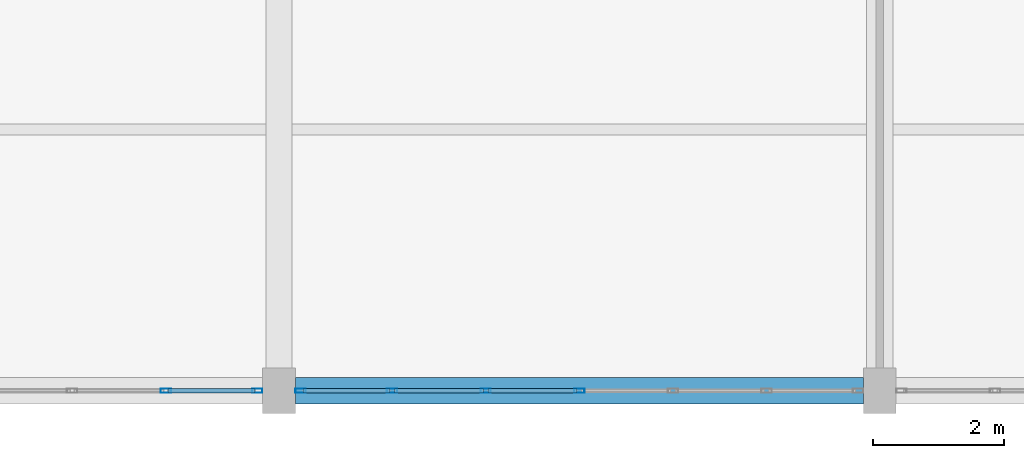
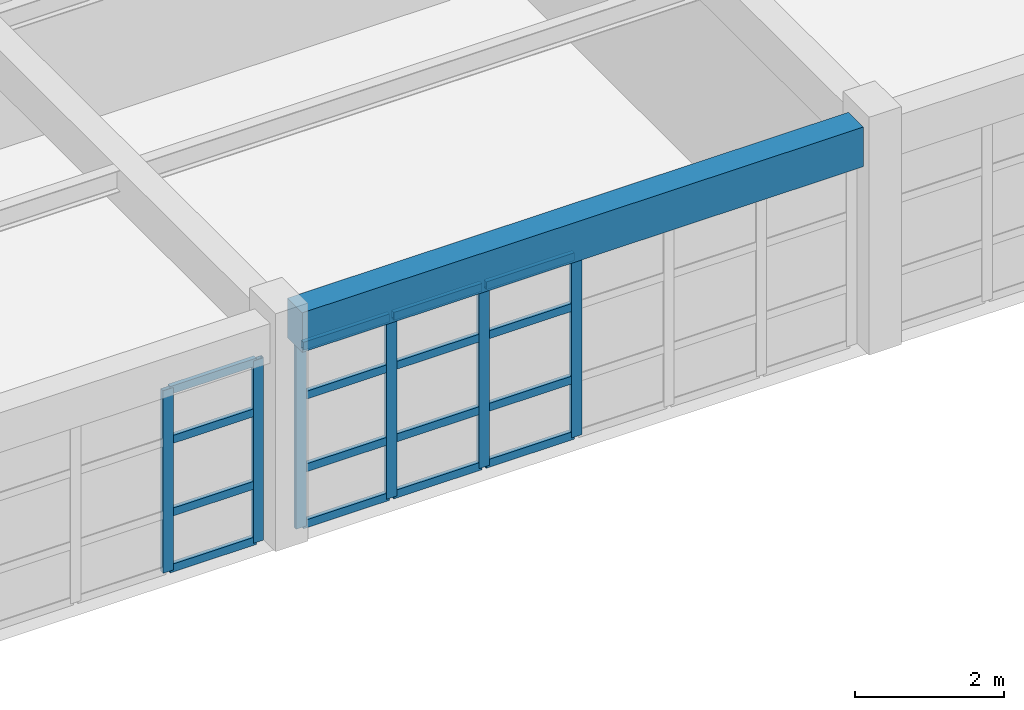
# One storey, part 22 of 150: 22 members, 1 beam, 2 elements without a shape of their own.
"""IFC4 building model written with IfcOpenShell, lengths in metres."""

from ifc_helpers import new_model, si_unit, direction, frame, origin, origin_2d, place, context, subcontext, project, spatial, rectangle, hollow_rectangle, extrude, material, material_profile, profile_set, type_object, element, aggregate, save


model = new_model("IFC4")

# Units and contexts
model_context = context("Model", 3, precision=1e-05, world=origin(), true_north=direction((0.0, 1.0)))
body_context = subcontext(model_context, "Body", "Model", "MODEL_VIEW")
ifc_project = project(units=[si_unit("LENGTHUNIT", "METRE"), si_unit("AREAUNIT", "SQUARE_METRE"), si_unit("VOLUMEUNIT", "CUBIC_METRE"), si_unit("PLANEANGLEUNIT", "RADIAN"), si_unit("MASSUNIT", "GRAM", prefix="KILO")], contexts=[model_context])

# Site, building, storey
site_placement = place(None, origin())
site = spatial("IfcSite", under=ifc_project, at=site_placement, CompositionType="ELEMENT")
building_placement = place(site_placement, origin())
building = spatial("IfcBuilding", under=site, at=building_placement, Name="Kestramere Prow Commons", CompositionType="ELEMENT")
storey_placement = place(building_placement, frame((0.0, 0.0, 4.5)))
storey = spatial("IfcBuildingStorey", under=building, at=storey_placement, Name="L01", CompositionType="ELEMENT", Elevation=4.5)

# Beam
ifc_material_1 = material(Name="Precast concrete C40/50", Category="concrete")
ifc_material_profile_1 = material_profile(ifc_material_1, rectangle(XDim=0.39990234375, YDim=0.64990234375, at=origin_2d()), Name="PC-BM 400x650")
ifc_profile_set_1 = profile_set([ifc_material_profile_1], Name="Precast concrete C40/50")
beam_type = type_object("IfcBeamType", Name="BM-MK-01 PC-BM 400x650 (EX)", PredefinedType="BEAM", material=ifc_profile_set_1)
beam_placement = place(storey_placement, frame((85.25, 0.0, 3.324951171875), z_axis=(1.0, 0.0, 0.0), x_axis=(0.0, 1.0, 0.0)))
element("IfcBeam", 1, at=beam_placement, inside=storey, type_object=beam_type, Name="Market Spine L01 Beam X 1-4", PredefinedType="BEAM", context=body_context, shape_type="SweptSolid", body=[
    extrude(rectangle(XDim=0.39990234375, YDim=0.64990234375, at=origin_2d()), origin(), (0.0, 0.0, 1.0), 8.699951171875),
])

# Curtain wall, members
ifc_material_2 = material(Name="Anodised Aluminium and Low-E Glass", Category="aluminium")
curtain_wall_type = type_object("IfcCurtainWallType", Name="CW-25 Glazed Curtain Wall 8600x2990", PredefinedType="USERDEFINED", material=ifc_material_2)
curtain_wall_1_placement = place(storey_placement, origin())
curtain_wall_1 = element("IfcCurtainWall", 2, at=curtain_wall_1_placement, inside=storey, type_object=curtain_wall_type, Name="Market L01 South Shopfront 3", ObjectType="GLAZED CURTAIN WALL", PredefinedType="USERDEFINED")
ifc_material_3 = material(Name="Anodised Aluminium 6063-T6", Category="aluminium")
ifc_material_profile_2 = material_profile(ifc_material_3, hollow_rectangle(XDim=0.06494140625, YDim=0.159912109375, WallThickness=0.00390625, at=origin_2d()), Name="ALU-MUL 65x160")
ifc_profile_set_2 = profile_set([ifc_material_profile_2], Name="Anodised Aluminium 6063-T6")
member_type_1 = type_object("IfcMemberType", Name="CW-MUL-65x160", PredefinedType="MULLION", material=ifc_profile_set_2)
member_1_placement = place(storey_placement, frame((84.66748046875, 0.0, 0.0), z_axis=(0.0, 0.0, 1.0), x_axis=(0.0, -1.0, 0.0)))
member_1 = element("IfcMember", 3, at=member_1_placement, type_object=member_type_1, Name="CW-25 mullion 1", PredefinedType="MULLION", context=body_context, shape_type="SweptSolid", body=[
    extrude(hollow_rectangle(XDim=0.06494140625, YDim=0.159912109375, WallThickness=0.00390625, at=origin_2d()), origin(), (0.0, 0.0, 1.0), 2.989990234375),
])
member_2_placement = place(storey_placement, frame((83.2666015625, 0.0, 0.0), z_axis=(0.0, 0.0, 1.0), x_axis=(0.0, -1.0, 0.0)))
member_2 = element("IfcMember", 4, at=member_2_placement, type_object=member_type_1, Name="CW-25 mullion 2", PredefinedType="MULLION", context=body_context, shape_type="SweptSolid", body=[
    extrude(hollow_rectangle(XDim=0.06494140625, YDim=0.159912109375, WallThickness=0.00390625, at=origin_2d()), origin(), (0.0, 0.0, 1.0), 2.989990234375),
])

curtain_wall_2_placement = place(storey_placement, origin())
curtain_wall_2 = element("IfcCurtainWall", 5, at=curtain_wall_2_placement, inside=storey, type_object=curtain_wall_type, Name="Market L01 South Shopfront 4", ObjectType="GLAZED CURTAIN WALL", PredefinedType="USERDEFINED")
member_3_placement = place(storey_placement, frame((89.60009765625, 0.0, 0.0), z_axis=(0.0, 0.0, 1.0), x_axis=(0.0, -1.0, 0.0)))
member_3 = element("IfcMember", 6, at=member_3_placement, type_object=member_type_1, Name="CW-25 mullion 4", PredefinedType="MULLION", context=body_context, shape_type="SweptSolid", body=[
    extrude(hollow_rectangle(XDim=0.06494140625, YDim=0.159912109375, WallThickness=0.00390625, at=origin_2d()), origin(), (0.0, 0.0, 1.0), 2.989990234375),
])
member_4_placement = place(storey_placement, frame((88.166748046875, 0.0, 0.0), z_axis=(0.0, 0.0, 1.0), x_axis=(0.0, -1.0, 0.0)))
member_4 = element("IfcMember", 7, at=member_4_placement, type_object=member_type_1, Name="CW-25 mullion 5", PredefinedType="MULLION", context=body_context, shape_type="SweptSolid", body=[
    extrude(hollow_rectangle(XDim=0.06494140625, YDim=0.159912109375, WallThickness=0.00390625, at=origin_2d()), origin(), (0.0, 0.0, 1.0), 2.989990234375),
])
member_5_placement = place(storey_placement, frame((86.7333984375, 0.0, 0.0), z_axis=(0.0, 0.0, 1.0), x_axis=(0.0, -1.0, 0.0)))
member_5 = element("IfcMember", 8, at=member_5_placement, type_object=member_type_1, Name="CW-25 mullion 6", PredefinedType="MULLION", context=body_context, shape_type="SweptSolid", body=[
    extrude(hollow_rectangle(XDim=0.06494140625, YDim=0.159912109375, WallThickness=0.00390625, at=origin_2d()), origin(), (0.0, 0.0, 1.0), 2.989990234375),
])
member_6_placement = place(storey_placement, frame((85.33251953125, 0.0, 0.0), z_axis=(0.0, 0.0, 1.0), x_axis=(0.0, -1.0, 0.0)))
member_6 = element("IfcMember", 9, at=member_6_placement, type_object=member_type_1, Name="CW-25 mullion 7", PredefinedType="MULLION", context=body_context, shape_type="SweptSolid", body=[
    extrude(hollow_rectangle(XDim=0.06494140625, YDim=0.159912109375, WallThickness=0.00390625, at=origin_2d()), origin(), (0.0, 0.0, 1.0), 2.989990234375),
])

# Member
ifc_material_profile_3 = material_profile(ifc_material_3, hollow_rectangle(XDim=0.06494140625, YDim=0.1298828125, WallThickness=0.00390625, at=origin_2d()), Name="ALU-TRN 65x130")
ifc_profile_set_3 = profile_set([ifc_material_profile_3], Name="Anodised Aluminium 6063-T6")
member_type_2 = type_object("IfcMemberType", Name="CW-TRN-65x130", PredefinedType="USERDEFINED", material=ifc_profile_set_3)
member_7_placement = place(storey_placement, frame((84.635009765625, 0.0, 0.032470703125), z_axis=(-1.0, 0.0, 0.0), x_axis=(0.0, -1.0, 0.0)))
member_7 = element("IfcMember", 10, at=member_7_placement, type_object=member_type_2, Name="CW-25 transom 1.1", ObjectType="TRANSOM", PredefinedType="USERDEFINED", context=body_context, shape_type="SweptSolid", body=[
    extrude(hollow_rectangle(XDim=0.06494140625, YDim=0.1298828125, WallThickness=0.00390625, at=origin_2d()), origin(), (0.0, 0.0, 1.0), 1.3359375),
])

member_8_placement = place(storey_placement, frame((84.635009765625, 0.0, 0.949951171875), z_axis=(-1.0, 0.0, 0.0), x_axis=(0.0, -1.0, 0.0)))
member_8 = element("IfcMember", 11, at=member_8_placement, type_object=member_type_2, Name="CW-25 transom 1.2", ObjectType="TRANSOM", PredefinedType="USERDEFINED", context=body_context, shape_type="SweptSolid", body=[
    extrude(hollow_rectangle(XDim=0.06494140625, YDim=0.1298828125, WallThickness=0.00390625, at=origin_2d()), origin(), (0.0, 0.0, 1.0), 1.3359375),
])

member_9_placement = place(storey_placement, frame((84.635009765625, 0.0, 2.139892578125), z_axis=(-1.0, 0.0, 0.0), x_axis=(0.0, -1.0, 0.0)))
member_9 = element("IfcMember", 12, at=member_9_placement, type_object=member_type_2, Name="CW-25 transom 1.3", ObjectType="TRANSOM", PredefinedType="USERDEFINED", context=body_context, shape_type="SweptSolid", body=[
    extrude(hollow_rectangle(XDim=0.06494140625, YDim=0.1298828125, WallThickness=0.00390625, at=origin_2d()), origin(), (0.0, 0.0, 1.0), 1.3359375),
])

member_10_placement = place(storey_placement, frame((84.635009765625, 0.0, 2.95751953125), z_axis=(-1.0, 0.0, 0.0), x_axis=(0.0, -1.0, 0.0)))
member_10 = element("IfcMember", 13, at=member_10_placement, type_object=member_type_2, Name="CW-25 transom 1.4", ObjectType="TRANSOM", PredefinedType="USERDEFINED", context=body_context, shape_type="SweptSolid", body=[
    extrude(hollow_rectangle(XDim=0.06494140625, YDim=0.1298828125, WallThickness=0.00390625, at=origin_2d()), origin(), (0.0, 0.0, 1.0), 1.3359375),
])

aggregate(curtain_wall_1, [member_1, member_2, member_7, member_8, member_9, member_10])

member_11_placement = place(storey_placement, frame((89.5673828125, 0.0, 0.032470703125), z_axis=(-1.0, 0.0, 0.0), x_axis=(0.0, -1.0, 0.0)))
member_11 = element("IfcMember", 14, at=member_11_placement, type_object=member_type_2, Name="CW-25 transom 4.1", ObjectType="TRANSOM", PredefinedType="USERDEFINED", context=body_context, shape_type="SweptSolid", body=[
    extrude(hollow_rectangle(XDim=0.06494140625, YDim=0.1298828125, WallThickness=0.00390625, at=origin_2d()), origin(), (0.0, 0.0, 1.0), 1.3681640625),
])

member_12_placement = place(storey_placement, frame((89.5673828125, 0.0, 0.949951171875), z_axis=(-1.0, 0.0, 0.0), x_axis=(0.0, -1.0, 0.0)))
member_12 = element("IfcMember", 15, at=member_12_placement, type_object=member_type_2, Name="CW-25 transom 4.2", ObjectType="TRANSOM", PredefinedType="USERDEFINED", context=body_context, shape_type="SweptSolid", body=[
    extrude(hollow_rectangle(XDim=0.06494140625, YDim=0.1298828125, WallThickness=0.00390625, at=origin_2d()), origin(), (0.0, 0.0, 1.0), 1.3681640625),
])

member_13_placement = place(storey_placement, frame((89.5673828125, 0.0, 2.139892578125), z_axis=(-1.0, 0.0, 0.0), x_axis=(0.0, -1.0, 0.0)))
member_13 = element("IfcMember", 16, at=member_13_placement, type_object=member_type_2, Name="CW-25 transom 4.3", ObjectType="TRANSOM", PredefinedType="USERDEFINED", context=body_context, shape_type="SweptSolid", body=[
    extrude(hollow_rectangle(XDim=0.06494140625, YDim=0.1298828125, WallThickness=0.00390625, at=origin_2d()), origin(), (0.0, 0.0, 1.0), 1.3681640625),
])

member_14_placement = place(storey_placement, frame((89.5673828125, 0.0, 2.95751953125), z_axis=(-1.0, 0.0, 0.0), x_axis=(0.0, -1.0, 0.0)))
member_14 = element("IfcMember", 17, at=member_14_placement, type_object=member_type_2, Name="CW-25 transom 4.4", ObjectType="TRANSOM", PredefinedType="USERDEFINED", context=body_context, shape_type="SweptSolid", body=[
    extrude(hollow_rectangle(XDim=0.06494140625, YDim=0.1298828125, WallThickness=0.00390625, at=origin_2d()), origin(), (0.0, 0.0, 1.0), 1.3681640625),
])

member_15_placement = place(storey_placement, frame((88.13427734375, 0.0, 0.032470703125), z_axis=(-1.0, 0.0, 0.0), x_axis=(0.0, -1.0, 0.0)))
member_15 = element("IfcMember", 18, at=member_15_placement, type_object=member_type_2, Name="CW-25 transom 5.1", ObjectType="TRANSOM", PredefinedType="USERDEFINED", context=body_context, shape_type="SweptSolid", body=[
    extrude(hollow_rectangle(XDim=0.06494140625, YDim=0.1298828125, WallThickness=0.00390625, at=origin_2d()), origin(), (0.0, 0.0, 1.0), 1.368408203125),
])

member_16_placement = place(storey_placement, frame((88.13427734375, 0.0, 0.949951171875), z_axis=(-1.0, 0.0, 0.0), x_axis=(0.0, -1.0, 0.0)))
member_16 = element("IfcMember", 19, at=member_16_placement, type_object=member_type_2, Name="CW-25 transom 5.2", ObjectType="TRANSOM", PredefinedType="USERDEFINED", context=body_context, shape_type="SweptSolid", body=[
    extrude(hollow_rectangle(XDim=0.06494140625, YDim=0.1298828125, WallThickness=0.00390625, at=origin_2d()), origin(), (0.0, 0.0, 1.0), 1.368408203125),
])

member_17_placement = place(storey_placement, frame((88.13427734375, 0.0, 2.139892578125), z_axis=(-1.0, 0.0, 0.0), x_axis=(0.0, -1.0, 0.0)))
member_17 = element("IfcMember", 20, at=member_17_placement, type_object=member_type_2, Name="CW-25 transom 5.3", ObjectType="TRANSOM", PredefinedType="USERDEFINED", context=body_context, shape_type="SweptSolid", body=[
    extrude(hollow_rectangle(XDim=0.06494140625, YDim=0.1298828125, WallThickness=0.00390625, at=origin_2d()), origin(), (0.0, 0.0, 1.0), 1.368408203125),
])

member_18_placement = place(storey_placement, frame((88.13427734375, 0.0, 2.95751953125), z_axis=(-1.0, 0.0, 0.0), x_axis=(0.0, -1.0, 0.0)))
member_18 = element("IfcMember", 21, at=member_18_placement, type_object=member_type_2, Name="CW-25 transom 5.4", ObjectType="TRANSOM", PredefinedType="USERDEFINED", context=body_context, shape_type="SweptSolid", body=[
    extrude(hollow_rectangle(XDim=0.06494140625, YDim=0.1298828125, WallThickness=0.00390625, at=origin_2d()), origin(), (0.0, 0.0, 1.0), 1.368408203125),
])

member_19_placement = place(storey_placement, frame((86.700927734375, 0.0, 0.032470703125), z_axis=(-1.0, 0.0, 0.0), x_axis=(0.0, -1.0, 0.0)))
member_19 = element("IfcMember", 22, at=member_19_placement, type_object=member_type_2, Name="CW-25 transom 6.1", ObjectType="TRANSOM", PredefinedType="USERDEFINED", context=body_context, shape_type="SweptSolid", body=[
    extrude(hollow_rectangle(XDim=0.06494140625, YDim=0.1298828125, WallThickness=0.00390625, at=origin_2d()), origin(), (0.0, 0.0, 1.0), 1.3359375),
])

member_20_placement = place(storey_placement, frame((86.700927734375, 0.0, 0.949951171875), z_axis=(-1.0, 0.0, 0.0), x_axis=(0.0, -1.0, 0.0)))
member_20 = element("IfcMember", 23, at=member_20_placement, type_object=member_type_2, Name="CW-25 transom 6.2", ObjectType="TRANSOM", PredefinedType="USERDEFINED", context=body_context, shape_type="SweptSolid", body=[
    extrude(hollow_rectangle(XDim=0.06494140625, YDim=0.1298828125, WallThickness=0.00390625, at=origin_2d()), origin(), (0.0, 0.0, 1.0), 1.3359375),
])

member_21_placement = place(storey_placement, frame((86.700927734375, 0.0, 2.139892578125), z_axis=(-1.0, 0.0, 0.0), x_axis=(0.0, -1.0, 0.0)))
member_21 = element("IfcMember", 24, at=member_21_placement, type_object=member_type_2, Name="CW-25 transom 6.3", ObjectType="TRANSOM", PredefinedType="USERDEFINED", context=body_context, shape_type="SweptSolid", body=[
    extrude(hollow_rectangle(XDim=0.06494140625, YDim=0.1298828125, WallThickness=0.00390625, at=origin_2d()), origin(), (0.0, 0.0, 1.0), 1.3359375),
])

member_22_placement = place(storey_placement, frame((86.700927734375, 0.0, 2.95751953125), z_axis=(-1.0, 0.0, 0.0), x_axis=(0.0, -1.0, 0.0)))
member_22 = element("IfcMember", 25, at=member_22_placement, type_object=member_type_2, Name="CW-25 transom 6.4", ObjectType="TRANSOM", PredefinedType="USERDEFINED", context=body_context, shape_type="SweptSolid", body=[
    extrude(hollow_rectangle(XDim=0.06494140625, YDim=0.1298828125, WallThickness=0.00390625, at=origin_2d()), origin(), (0.0, 0.0, 1.0), 1.3359375),
])

aggregate(curtain_wall_2, [member_3, member_4, member_5, member_6, member_11, member_12, member_13, member_14, member_15, member_16, member_17, member_18, member_19, member_20, member_21, member_22])

save(model, "model.ifc")
